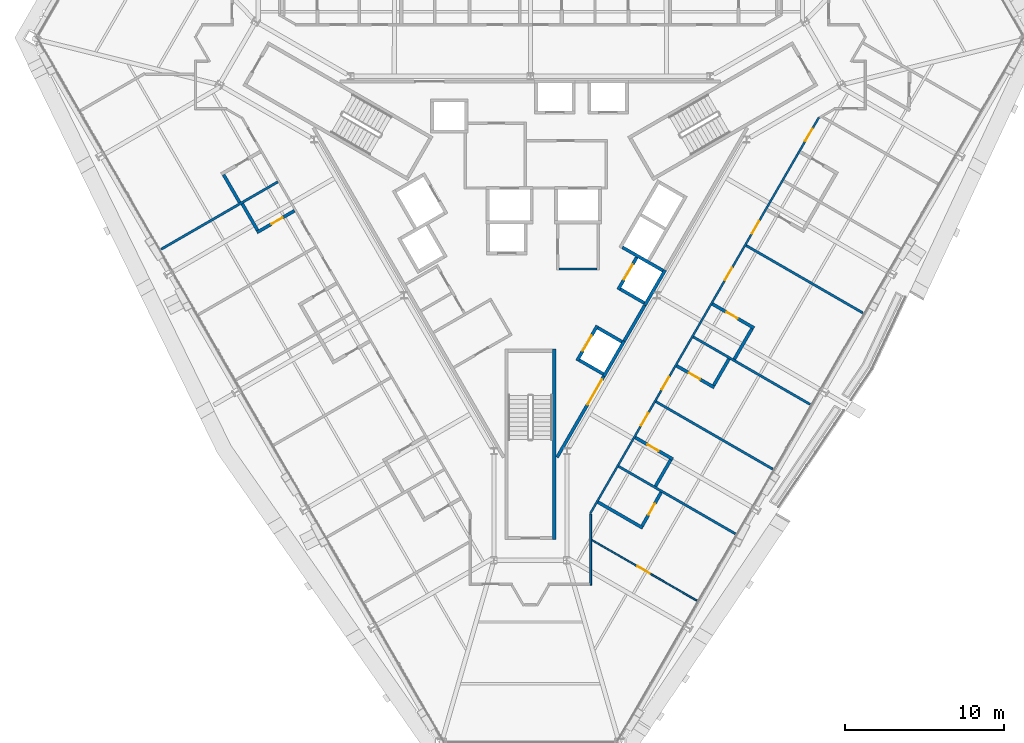
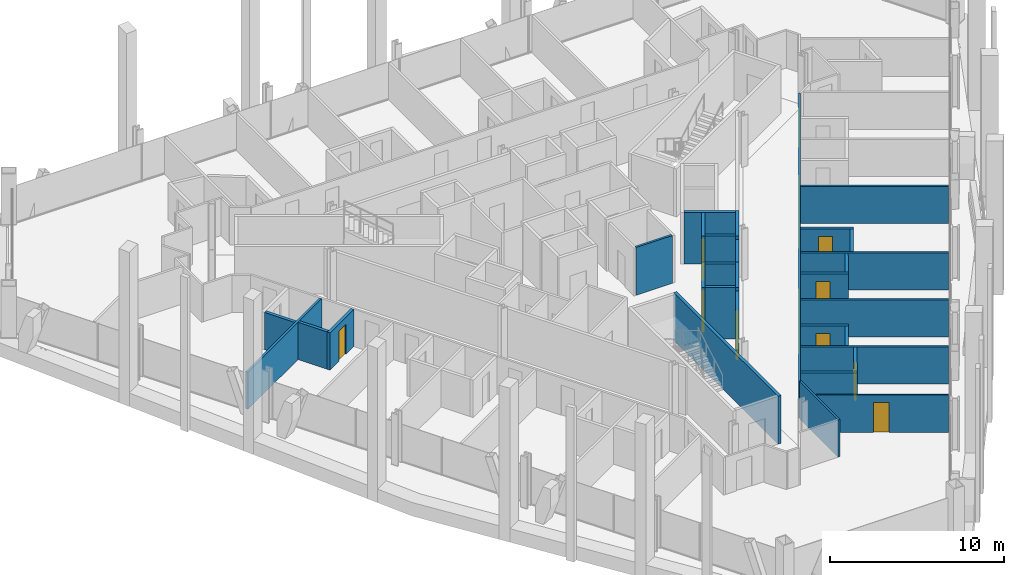
# One storey, part 14 of 21: 31 walls, 14 doors, 14 openings.
"""IFC4 building model written with IfcOpenShell, lengths in metres."""

from ifc_helpers import new_model, si_unit, direction, frame, frame_2d, origin, place, context, subcontext, project, spatial, rectangle, extrude, material, layer, layer_set, type_object, element, fill, save


model = new_model("IFC4")

# Units and contexts
model_context = context("Model", 3, precision=1e-05, world=origin(), true_north=direction((0.0, 1.0)))
body_context = subcontext(model_context, "Body", "Model", "MODEL_VIEW")
ifc_project = project(units=[si_unit("LENGTHUNIT", "METRE"), si_unit("AREAUNIT", "SQUARE_METRE"), si_unit("VOLUMEUNIT", "CUBIC_METRE"), si_unit("PLANEANGLEUNIT", "RADIAN"), si_unit("MASSUNIT", "GRAM", prefix="KILO")], contexts=[model_context])

# Site, building, storey
site_placement = place(None, origin())
site = spatial("IfcSite", under=ifc_project, at=site_placement, CompositionType="ELEMENT")
building_placement = place(site_placement, origin())
building = spatial("IfcBuilding", under=site, at=building_placement, Name="Verrane Prism Tower", CompositionType="ELEMENT")
storey_placement = place(building_placement, frame((0.0, 0.0, 65.60009765625)))
storey = spatial("IfcBuildingStorey", under=building, at=storey_placement, Name="L14", CompositionType="ELEMENT", Elevation=65.60009765625)

# Wall, opening, door
ifc_material_1 = material(Name="Gypsum board partition", Category="other")
ifc_layer_1 = layer(ifc_material_1, 0.199951171875)
ifc_layer_set_1 = layer_set([ifc_layer_1], Name="CW-200 core boundary wall 2 h")
wall_type_1 = type_object("IfcWallType", Name="CW-200 core boundary wall 2 h", PredefinedType="PARTITIONING", material=ifc_layer_set_1)
wall_1_placement = place(storey_placement, frame((1.677490234375, -14.814697265625, 0.0), z_axis=(0.0, 0.0, 1.0), x_axis=(0.49999445743, 0.866028603765, 0.0)))
wall_1 = element("IfcWall", 1, at=wall_1_placement, inside=storey, type_object=wall_type_1, Name="Core boundary wall CW3-003", PredefinedType="PARTITIONING", context=body_context, shape_type="SweptSolid", body=[
    extrude(rectangle(XDim=5.90478515625, YDim=0.199951171875, at=frame_2d((2.952392578125, 0.0))), origin(), (0.0, 0.0, 1.0), 3.349853515625),
])
opening_1_placement = place(wall_1_placement, frame((3.85498046875, 0.0, 0.0)))
opening_1 = element("IfcOpeningElement", 2, at=opening_1_placement, cuts=wall_1, Name="Opening D14517", PredefinedType="OPENING", context=body_context, shape_type="SweptSolid", body=[
    extrude(rectangle(XDim=1.800048828125, YDim=2.10009765625, at=frame_2d((0.89990234375, 1.050048828125))), frame((0.0, 0.10986328125, 0.0), z_axis=(0.0, -1.0, 0.0), x_axis=(1.0, 0.0, 0.0)), (0.0, 0.0, 1.0), 0.219970703125),
])
ifc_material_2 = material(Name="Timber veneered door leaf", Category="wood")
door_type_1 = type_object("IfcDoorType", Name="DR-1800x2100 FD60 double leaf lift lobby", OperationType="NOTDEFINED", PredefinedType="DOOR", material=ifc_material_2)
door_1_placement = place(opening_1_placement, origin())
door_1 = element("IfcDoor", 3, at=door_1_placement, inside=storey, type_object=door_type_1, Name="Lift lobby door D14517", OperationType="DOUBLE_DOOR_SINGLE_SWING", OverallHeight=2.10009765625, OverallWidth=1.800048828125, PredefinedType="DOOR", context=body_context, shape_type="SweptSolid", body=[
    extrude(rectangle(XDim=1.800048828125, YDim=2.10009765625, at=frame_2d((0.89990234375, 1.050048828125))), frame((0.0, 0.02490234375, 0.0), z_axis=(0.0, -1.0, 0.0), x_axis=(1.0, 0.0, 0.0)), (0.0, 0.0, 1.0), 0.050048828125),
])
fill(opening_1, door_1)

# Walls
wall_2_placement = place(storey_placement, frame((5.906005859375, -7.489990234375, 0.0), z_axis=(0.0, 0.0, 1.0), x_axis=(0.500252727967, 0.865879442048, 0.0)))
element("IfcWall", 4, at=wall_2_placement, inside=storey, type_object=wall_type_1, Name="Core boundary wall CW3-005", PredefinedType="PARTITIONING", context=body_context, shape_type="SweptSolid", body=[
    extrude(rectangle(XDim=2.616943359375, YDim=0.199951171875, at=frame_2d((1.30859375, 0.0))), origin(), (0.0, 0.0, 1.0), 3.349853515625),
])
ifc_material_3 = material(Name="Concrete C40/50", Category="concrete")
ifc_layer_2 = layer(ifc_material_3, 0.199951171875)
ifc_layer_set_2 = layer_set([ifc_layer_2], Name="CW-200 stair core wall concrete C40/50 3 h")
wall_type_2 = type_object("IfcWallType", Name="CW-200 stair core wall concrete C40/50 3 h", PredefinedType="PARTITIONING", material=ifc_layer_set_2)
wall_3_placement = place(storey_placement, frame((1.5, -8.0, 0.0), z_axis=(0.0, 0.0, 1.0), x_axis=(0.0, -1.0, 0.0)))
element("IfcWall", 5, at=wall_3_placement, inside=storey, type_object=wall_type_2, Name="Stair 3 enclosure wall", PredefinedType="PARTITIONING", context=body_context, shape_type="SweptSolid", body=[
    extrude(rectangle(XDim=12.0, YDim=0.199951171875, at=frame_2d((6.0, 0.0))), origin(), (0.0, 0.0, 1.0), 3.349853515625),
])
ifc_material_4 = material(Name="Gypsum board shaft wall assembly", Category="other")
ifc_layer_3 = layer(ifc_material_4, 0.199951171875)
ifc_layer_set_3 = layer_set([ifc_layer_3], Name="HW-200 lift shaft wall 2 h")
wall_type_3 = type_object("IfcWallType", Name="HW-200 lift shaft wall 2 h", PredefinedType="PARTITIONING", material=ifc_layer_set_3)
wall_4_placement = place(storey_placement, frame((4.63037109375, -9.69970703125, 0.0), z_axis=(0.0, 0.0, 1.0), x_axis=(0.500062241894, 0.865989465428, 0.0)))
element("IfcWall", 6, at=wall_4_placement, inside=storey, type_object=wall_type_3, Name="Lift shaft wall", PredefinedType="PARTITIONING", context=body_context, shape_type="SweptSolid", body=[
    extrude(rectangle(XDim=2.550048828125, YDim=0.199951171875, at=frame_2d((1.27490234375, 0.0))), origin(), (0.0, 0.0, 1.0), 3.599853515625),
])
wall_5_placement = place(storey_placement, frame((7.215576171875, -5.222412109375, 0.0), z_axis=(0.0, 0.0, 1.0), x_axis=(0.499990435942, 0.866030925526, 0.0)))
element("IfcWall", 7, at=wall_5_placement, inside=storey, type_object=wall_type_3, Name="Lift shaft wall", PredefinedType="PARTITIONING", context=body_context, shape_type="SweptSolid", body=[
    extrude(rectangle(XDim=2.5498046875, YDim=0.199951171875, at=frame_2d((1.27490234375, 0.0))), origin(), (0.0, 0.0, 1.0), 3.599853515625),
])

# Wall, opening, door
wall_6_placement = place(storey_placement, frame((2.941650390625, -8.724853515625, 0.0), z_axis=(0.0, 0.0, 1.0), x_axis=(0.500020783669, 0.866013403995, 0.0)))
wall_6 = element("IfcWall", 8, at=wall_6_placement, inside=storey, type_object=wall_type_3, Name="Lift shaft wall", PredefinedType="PARTITIONING", context=body_context, shape_type="SweptSolid", body=[
    extrude(rectangle(XDim=2.55029296875, YDim=0.199951171875, at=frame_2d((1.275146484375, 0.0))), origin(), (0.0, 0.0, 1.0), 3.599853515625),
])
opening_2_placement = place(wall_6_placement, frame((0.72509765625, 0.0, 0.0)))
opening_2 = element("IfcOpeningElement", 9, at=opening_2_placement, cuts=wall_6, Name="Opening D14506", PredefinedType="OPENING", context=body_context, shape_type="SweptSolid", body=[
    extrude(rectangle(XDim=1.10009765625, YDim=2.10009765625, at=frame_2d((0.550048828125, 1.050048828125))), frame((0.0, 0.10986328125, 0.0), z_axis=(0.0, -1.0, 0.0), x_axis=(1.0, 0.0, 0.0)), (0.0, 0.0, 1.0), 0.219970703125),
])
ifc_material_5 = material(Name="Stainless steel sliding landing door", Category="steel")
door_type_2 = type_object("IfcDoorType", Name="LD-1100x2100 lift landing door FD90 sliding", OperationType="NOTDEFINED", PredefinedType="DOOR", material=ifc_material_5)
door_2_placement = place(opening_2_placement, origin())
door_2 = element("IfcDoor", 10, at=door_2_placement, inside=storey, type_object=door_type_2, Name="Bank A lift 4 landing door", OperationType="SLIDING_TO_RIGHT", OverallHeight=2.10009765625, OverallWidth=1.10009765625, PredefinedType="DOOR", context=body_context, shape_type="SweptSolid", body=[
    extrude(rectangle(XDim=1.10009765625, YDim=2.10009765625, at=frame_2d((0.550048828125, 1.050048828125))), frame((0.0, 0.02490234375, 0.0), z_axis=(0.0, -1.0, 0.0), x_axis=(1.0, 0.0, 0.0)), (0.0, 0.0, 1.0), 0.050048828125),
])
fill(opening_2, door_2)

wall_7_placement = place(storey_placement, frame((5.52685546875, -4.247314453125, 0.0), z_axis=(0.0, 0.0, 1.0), x_axis=(0.499938297808, 0.866061024631, 0.0)))
wall_7 = element("IfcWall", 11, at=wall_7_placement, inside=storey, type_object=wall_type_3, Name="Lift shaft wall", PredefinedType="PARTITIONING", context=body_context, shape_type="SweptSolid", body=[
    extrude(rectangle(XDim=2.349853515625, YDim=0.199951171875, at=frame_2d((1.1748046875, 0.0))), origin(), (0.0, 0.0, 1.0), 3.599853515625),
])
opening_3_placement = place(wall_7_placement, frame((0.72509765625, 0.0, 0.0)))
opening_3 = element("IfcOpeningElement", 12, at=opening_3_placement, cuts=wall_7, Name="Opening D14507", PredefinedType="OPENING", context=body_context, shape_type="SweptSolid", body=[
    extrude(rectangle(XDim=1.10009765625, YDim=2.10009765625, at=frame_2d((0.550048828125, 1.050048828125))), frame((0.0, 0.10986328125, 0.0), z_axis=(0.0, -1.0, 0.0), x_axis=(1.0, 0.0, 0.0)), (0.0, 0.0, 1.0), 0.219970703125),
])
door_3_placement = place(opening_3_placement, origin())
door_3 = element("IfcDoor", 13, at=door_3_placement, inside=storey, type_object=door_type_2, Name="Bank A lift 5 landing door", OperationType="SLIDING_TO_LEFT", OverallHeight=2.10009765625, OverallWidth=1.10009765625, PredefinedType="DOOR", context=body_context, shape_type="SweptSolid", body=[
    extrude(rectangle(XDim=1.10009765625, YDim=2.10009765625, at=frame_2d((0.550048828125, 1.050048828125))), frame((0.0, 0.02490234375, 0.0), z_axis=(0.0, -1.0, 0.0), x_axis=(1.0, 0.0, 0.0)), (0.0, 0.0, 1.0), 0.050048828125),
])
fill(opening_3, door_3)

# Walls
wall_8_placement = place(storey_placement, frame((8.35400390625, -3.050537109375, 0.0), z_axis=(0.0, 0.0, 1.0), x_axis=(-0.866060182126, 0.499939757307, 0.0)))
element("IfcWall", 14, at=wall_8_placement, inside=storey, type_object=wall_type_3, Name="Lift shaft wall", PredefinedType="PARTITIONING", context=body_context, shape_type="SweptSolid", body=[
    extrude(rectangle(XDim=2.949951171875, YDim=0.199951171875, at=frame_2d((1.47509765625, 0.0))), origin(), (0.0, 0.0, 1.0), 3.599853515625),
])
wall_9_placement = place(storey_placement, frame((7.178955078125, -5.085693359375, 0.0), z_axis=(0.0, 0.0, 1.0), x_axis=(-0.866036909293, 0.499980071345, 0.0)))
element("IfcWall", 15, at=wall_9_placement, inside=storey, type_object=wall_type_3, Name="Lift shaft wall", PredefinedType="PARTITIONING", context=body_context, shape_type="SweptSolid", body=[
    extrude(rectangle(XDim=1.75, YDim=0.199951171875, at=frame_2d((0.875, 0.0))), origin(), (0.0, 0.0, 1.0), 3.599853515625),
])
wall_10_placement = place(storey_placement, frame((5.768798828125, -7.528076171875, 0.0), z_axis=(0.0, 0.0, 1.0), x_axis=(-0.866002029911, 0.500040482552, 0.0)))
element("IfcWall", 16, at=wall_10_placement, inside=storey, type_object=wall_type_3, Name="Lift shaft wall", PredefinedType="PARTITIONING", context=body_context, shape_type="SweptSolid", body=[
    extrude(rectangle(XDim=1.749755859375, YDim=0.199951171875, at=frame_2d((0.875, 0.0))), origin(), (0.0, 0.0, 1.0), 3.599853515625),
])
wall_11_placement = place(storey_placement, frame((4.593994140625, -9.563232421875, 0.0), z_axis=(0.0, 0.0, 1.0), x_axis=(-0.866036909293, 0.499980071345, 0.0)))
element("IfcWall", 17, at=wall_11_placement, inside=storey, type_object=wall_type_3, Name="Lift shaft wall", PredefinedType="PARTITIONING", context=body_context, shape_type="SweptSolid", body=[
    extrude(rectangle(XDim=1.75, YDim=0.199951171875, at=frame_2d((0.875, 0.0))), origin(), (0.0, 0.0, 1.0), 3.599853515625),
])

# Wall, opening, door
ifc_material_6 = material(Name="Gypsum board partition", Category="other")
ifc_layer_4 = layer(ifc_material_6, 0.10009765625)
ifc_layer_set_4 = layer_set([ifc_layer_4], Name="PW-100 room partition")
wall_type_4 = type_object("IfcWallType", Name="PW-100 room partition", PredefinedType="PARTITIONING", material=ifc_layer_set_4)
wall_12_placement = place(storey_placement, frame((3.884521484375, -20.027587890625, 0.0), z_axis=(0.0, 0.0, 1.0), x_axis=(0.866080975745, -0.499903734186, 0.0)))
wall_12 = element("IfcWall", 18, at=wall_12_placement, inside=storey, type_object=wall_type_4, Name="Room partition 055", PredefinedType="PARTITIONING", context=body_context, shape_type="SweptSolid", body=[
    extrude(rectangle(XDim=7.61669921875, YDim=0.10009765625, at=frame_2d((3.808349609375, 0.0))), origin(), (0.0, 0.0, 1.0), 2.61279296875),
])
opening_4_placement = place(wall_12_placement, frame((3.299072265625, 0.0, 0.0)))
opening_4 = element("IfcOpeningElement", 19, at=opening_4_placement, cuts=wall_12, Name="Opening D14002", PredefinedType="OPENING", context=body_context, shape_type="SweptSolid", body=[
    extrude(rectangle(XDim=0.89990234375, YDim=2.10009765625, at=frame_2d((0.449951171875, 1.050048828125))), frame((0.0, 0.06005859375, 0.0), z_axis=(0.0, -1.0, 0.0), x_axis=(1.0, 0.0, 0.0)), (0.0, 0.0, 1.0), 0.1201171875),
])
ifc_material_7 = material(Name="Timber veneered door leaf", Category="wood")
door_type_3 = type_object("IfcDoorType", Name="DR-900x2100 single leaf inner", OperationType="NOTDEFINED", PredefinedType="DOOR", material=ifc_material_7)
door_4_placement = place(opening_4_placement, origin())
door_4 = element("IfcDoor", 20, at=door_4_placement, inside=storey, type_object=door_type_3, Name="Suite Living Room door", OperationType="SINGLE_SWING_RIGHT", OverallHeight=2.10009765625, OverallWidth=0.89990234375, PredefinedType="DOOR", context=body_context, shape_type="SweptSolid", body=[
    extrude(rectangle(XDim=0.89990234375, YDim=2.10009765625, at=frame_2d((0.449951171875, 1.050048828125))), frame((0.0, 0.02490234375, 0.0), z_axis=(0.0, -1.0, 0.0), x_axis=(1.0, 0.0, 0.0)), (0.0, 0.0, 1.0), 0.050048828125),
])
fill(opening_4, door_4)

# Wall
ifc_material_8 = material(Name="Gypsum board partition", Category="other")
ifc_layer_5 = layer(ifc_material_8, 0.125)
ifc_layer_set_5 = layer_set([ifc_layer_5], Name="PW-125 corridor wall 1 h")
wall_type_5 = type_object("IfcWallType", Name="PW-125 corridor wall 1 h", PredefinedType="PARTITIONING", material=ifc_layer_set_5)
wall_13_placement = place(storey_placement, frame((3.797119140625, -22.859619140625, 0.0), z_axis=(0.0, 0.0, 1.0), x_axis=(0.0, 1.0, 0.0)))
element("IfcWall", 21, at=wall_13_placement, inside=storey, type_object=wall_type_5, Name="Corridor wall 054", PredefinedType="PARTITIONING", context=body_context, shape_type="SweptSolid", body=[
    extrude(rectangle(XDim=4.470703125, YDim=0.125, at=frame_2d((2.2353515625, 0.0))), origin(), (0.0, 0.0, 1.0), 2.61279296875),
])

# Wall, openings, doors
wall_14_placement = place(storey_placement, frame((18.17919921875, 6.606201171875, 0.0), z_axis=(0.0, 0.0, 1.0), x_axis=(-0.500003973642, -0.866023109589, 0.0)))
wall_14 = element("IfcWall", 22, at=wall_14_placement, inside=storey, type_object=wall_type_5, Name="Corridor wall 056", PredefinedType="PARTITIONING", context=body_context, shape_type="SweptSolid", body=[
    extrude(rectangle(XDim=28.826416015625, YDim=0.125, at=frame_2d((14.4130859375, 0.0))), origin(), (0.0, 0.0, 1.0), 2.61279296875),
])
opening_5_placement = place(wall_14_placement, frame((21.5009765625, 0.0, 0.0)))
opening_5 = element("IfcOpeningElement", 23, at=opening_5_placement, cuts=wall_14, Name="Opening D14004", PredefinedType="OPENING", context=body_context, shape_type="SweptSolid", body=[
    extrude(rectangle(XDim=0.89990234375, YDim=2.10009765625, at=frame_2d((0.449951171875, 1.050048828125))), frame((0.0, 0.072509765625, 0.0), z_axis=(0.0, -1.0, 0.0), x_axis=(1.0, 0.0, 0.0)), (0.0, 0.0, 1.0), 0.14501953125),
])
opening_6_placement = place(wall_14_placement, frame((18.89404296875, 0.0, 0.0)))
opening_6 = element("IfcOpeningElement", 24, at=opening_6_placement, cuts=wall_14, Name="Opening D14006", PredefinedType="OPENING", context=body_context, shape_type="SweptSolid", body=[
    extrude(rectangle(XDim=0.89990234375, YDim=2.10009765625, at=frame_2d((0.449951171875, 1.050048828125))), frame((0.0, 0.072509765625, 0.0), z_axis=(0.0, -1.0, 0.0), x_axis=(1.0, 0.0, 0.0)), (0.0, 0.0, 1.0), 0.14501953125),
])
opening_7_placement = place(wall_14_placement, frame((10.93701171875, 0.0, 0.0)))
opening_7 = element("IfcOpeningElement", 25, at=opening_7_placement, cuts=wall_14, Name="Opening D14008", PredefinedType="OPENING", context=body_context, shape_type="SweptSolid", body=[
    extrude(rectangle(XDim=0.89990234375, YDim=2.10009765625, at=frame_2d((0.449951171875, 1.050048828125))), frame((0.0, 0.072509765625, 0.0), z_axis=(0.0, -1.0, 0.0), x_axis=(1.0, 0.0, 0.0)), (0.0, 0.0, 1.0), 0.14501953125),
])
opening_8_placement = place(wall_14_placement, frame((7.534912109375, 0.0, 0.0)))
opening_8 = element("IfcOpeningElement", 26, at=opening_8_placement, cuts=wall_14, Name="Opening D14010", PredefinedType="OPENING", context=body_context, shape_type="SweptSolid", body=[
    extrude(rectangle(XDim=0.89990234375, YDim=2.10009765625, at=frame_2d((0.449951171875, 1.050048828125))), frame((0.0, 0.072509765625, 0.0), z_axis=(0.0, -1.0, 0.0), x_axis=(1.0, 0.0, 0.0)), (0.0, 0.0, 1.0), 0.14501953125),
])
opening_9_placement = place(wall_14_placement, frame((0.826904296875, 0.0, 0.0)))
opening_9 = element("IfcOpeningElement", 27, at=opening_9_placement, cuts=wall_14, Name="Opening D14012", PredefinedType="OPENING", context=body_context, shape_type="SweptSolid", body=[
    extrude(rectangle(XDim=0.89990234375, YDim=2.10009765625, at=frame_2d((0.449951171875, 1.050048828125))), frame((0.0, 0.072509765625, 0.0), z_axis=(0.0, -1.0, 0.0), x_axis=(1.0, 0.0, 0.0)), (0.0, 0.0, 1.0), 0.14501953125),
])
ifc_material_9 = material(Name="Timber veneered door leaf", Category="wood")
door_type_4 = type_object("IfcDoorType", Name="DR-900x2100 FD20 single leaf unit", OperationType="NOTDEFINED", PredefinedType="DOOR", material=ifc_material_9)
door_5_placement = place(opening_5_placement, origin())
door_5 = element("IfcDoor", 28, at=door_5_placement, inside=storey, type_object=door_type_4, Name="Guest Room door", OperationType="SINGLE_SWING_LEFT", OverallHeight=2.10009765625, OverallWidth=0.89990234375, PredefinedType="DOOR", context=body_context, shape_type="SweptSolid", body=[
    extrude(rectangle(XDim=0.89990234375, YDim=2.10009765625, at=frame_2d((0.449951171875, 1.050048828125))), frame((0.0, 0.02490234375, 0.0), z_axis=(0.0, -1.0, 0.0), x_axis=(1.0, 0.0, 0.0)), (0.0, 0.0, 1.0), 0.050048828125),
])
fill(opening_5, door_5)
door_6_placement = place(opening_6_placement, origin())
door_6 = element("IfcDoor", 29, at=door_6_placement, inside=storey, type_object=door_type_4, Name="Guest Room door", OperationType="SINGLE_SWING_LEFT", OverallHeight=2.10009765625, OverallWidth=0.89990234375, PredefinedType="DOOR", context=body_context, shape_type="SweptSolid", body=[
    extrude(rectangle(XDim=0.89990234375, YDim=2.10009765625, at=frame_2d((0.449951171875, 1.050048828125))), frame((0.0, 0.02490234375, 0.0), z_axis=(0.0, -1.0, 0.0), x_axis=(1.0, 0.0, 0.0)), (0.0, 0.0, 1.0), 0.050048828125),
])
fill(opening_6, door_6)
door_7_placement = place(opening_7_placement, origin())
door_7 = element("IfcDoor", 30, at=door_7_placement, inside=storey, type_object=door_type_4, Name="Junior Suite door", OperationType="SINGLE_SWING_LEFT", OverallHeight=2.10009765625, OverallWidth=0.89990234375, PredefinedType="DOOR", context=body_context, shape_type="SweptSolid", body=[
    extrude(rectangle(XDim=0.89990234375, YDim=2.10009765625, at=frame_2d((0.449951171875, 1.050048828125))), frame((0.0, 0.02490234375, 0.0), z_axis=(0.0, -1.0, 0.0), x_axis=(1.0, 0.0, 0.0)), (0.0, 0.0, 1.0), 0.050048828125),
])
fill(opening_7, door_7)
door_8_placement = place(opening_8_placement, origin())
door_8 = element("IfcDoor", 31, at=door_8_placement, inside=storey, type_object=door_type_4, Name="Guest Room door", OperationType="SINGLE_SWING_LEFT", OverallHeight=2.10009765625, OverallWidth=0.89990234375, PredefinedType="DOOR", context=body_context, shape_type="SweptSolid", body=[
    extrude(rectangle(XDim=0.89990234375, YDim=2.10009765625, at=frame_2d((0.449951171875, 1.050048828125))), frame((0.0, 0.02490234375, 0.0), z_axis=(0.0, -1.0, 0.0), x_axis=(1.0, 0.0, 0.0)), (0.0, 0.0, 1.0), 0.050048828125),
])
fill(opening_8, door_8)
door_9_placement = place(opening_9_placement, origin())
door_9 = element("IfcDoor", 32, at=door_9_placement, inside=storey, type_object=door_type_4, Name="Guest Room door", OperationType="SINGLE_SWING_LEFT", OverallHeight=2.10009765625, OverallWidth=0.89990234375, PredefinedType="DOOR", context=body_context, shape_type="SweptSolid", body=[
    extrude(rectangle(XDim=0.89990234375, YDim=2.10009765625, at=frame_2d((0.449951171875, 1.050048828125))), frame((0.0, 0.02490234375, 0.0), z_axis=(0.0, -1.0, 0.0), x_axis=(1.0, 0.0, 0.0)), (0.0, 0.0, 1.0), 0.050048828125),
])
fill(opening_9, door_9)

# Walls
ifc_material_10 = material(Name="Gypsum board partition", Category="other")
ifc_layer_6 = layer(ifc_material_10, 0.14990234375)
ifc_layer_set_6 = layer_set([ifc_layer_6], Name="PW-150 demising wall 1 h")
wall_type_6 = type_object("IfcWallType", Name="PW-150 demising wall 1 h", PredefinedType="PARTITIONING", material=ifc_layer_set_6)
wall_15_placement = place(storey_placement, frame((-23.26025390625, -1.701171875, 0.0), z_axis=(0.0, 0.0, 1.0), x_axis=(0.866027021296, 0.499997198377, 0.0)))
element("IfcWall", 33, at=wall_15_placement, inside=storey, type_object=wall_type_6, Name="Demising wall 003", PredefinedType="PARTITIONING", context=body_context, shape_type="SweptSolid", body=[
    extrude(rectangle(XDim=8.48681640625, YDim=0.14990234375, at=frame_2d((4.243408203125, 0.0))), origin(), (0.0, 0.0, 1.0), 2.61279296875),
])
wall_16_placement = place(storey_placement, frame((5.55810546875, -15.38037109375, 0.0), z_axis=(0.0, 0.0, 1.0), x_axis=(0.866022790583, -0.50000452617, 0.0)))
element("IfcWall", 34, at=wall_16_placement, inside=storey, type_object=wall_type_6, Name="Demising wall 060", PredefinedType="PARTITIONING", context=body_context, shape_type="SweptSolid", body=[
    extrude(rectangle(XDim=8.4912109375, YDim=0.14990234375, at=frame_2d((4.24560546875, 0.0))), origin(), (0.0, 0.0, 1.0), 2.61279296875),
])
for number, where, z_axis, x_axis, name in (
    (35, (7.9111328125, -11.30322265625, 0.0), (0.0, 0.0, 1.0), (0.866012267213, -0.500022752519, 0.0), "Demising wall 065"),
    (36, (10.26513671875, -7.226318359375, 0.0), (0.0, 0.0, 1.0), (0.866024716685, -0.500001190089, 0.0), "Demising wall 068"),
):
    element("IfcWall", number, at=place(storey_placement, frame(where, z_axis=z_axis, x_axis=x_axis)), inside=storey, type_object=wall_type_6, Name=name, PredefinedType="PARTITIONING", context=body_context, shape_type="SweptSolid", body=[
        extrude(rectangle(XDim=8.49169921875, YDim=0.14990234375, at=frame_2d((4.245849609375, 0.0))), origin(), (0.0, 0.0, 1.0), 2.61279296875),
    ])
wall_17_placement = place(storey_placement, frame((13.591064453125, -1.46630859375, 0.0), z_axis=(0.0, 0.0, 1.0), x_axis=(0.866022790583, -0.50000452617, 0.0)))
element("IfcWall", 37, at=wall_17_placement, inside=storey, type_object=wall_type_6, Name="Demising wall 074", PredefinedType="PARTITIONING", context=body_context, shape_type="SweptSolid", body=[
    extrude(rectangle(XDim=8.4912109375, YDim=0.14990234375, at=frame_2d((4.24560546875, 0.0))), origin(), (0.0, 0.0, 1.0), 2.61279296875),
])
ifc_material_11 = material(Name="Gypsum board partition", Category="other")
ifc_layer_7 = layer(ifc_material_11, 0.199951171875)
ifc_layer_set_7 = layer_set([ifc_layer_7], Name="PW-200 plumbing wall")
wall_type_7 = type_object("IfcWallType", Name="PW-200 plumbing wall", PredefinedType="PARTITIONING", material=ifc_layer_set_7)
wall_18_placement = place(storey_placement, frame((-19.326904296875, 2.994384765625, 0.0), z_axis=(0.0, 0.0, 1.0), x_axis=(0.500042536776, -0.866000843773, 0.0)))
element("IfcWall", 38, at=wall_18_placement, inside=storey, type_object=wall_type_7, Name="Plumbing wall 011", PredefinedType="PARTITIONING", context=body_context, shape_type="SweptSolid", body=[
    extrude(rectangle(XDim=2.024658203125, YDim=0.199951171875, at=frame_2d((1.01220703125, 0.0))), origin(), (0.0, 0.0, 1.0), 2.61279296875),
])
wall_19_placement = place(storey_placement, frame((-18.152587890625, 1.1611328125, 0.0), z_axis=(0.0, 0.0, 1.0), x_axis=(0.499971247393, -0.866042003473, 0.0)))
element("IfcWall", 39, at=wall_19_placement, inside=storey, type_object=wall_type_7, Name="Plumbing wall 017", PredefinedType="PARTITIONING", context=body_context, shape_type="SweptSolid", body=[
    extrude(rectangle(XDim=1.92529296875, YDim=0.199951171875, at=frame_2d((0.962646484375, 0.0))), origin(), (0.0, 0.0, 1.0), 2.61279296875),
])

# Wall, opening, door
wall_20_placement = place(storey_placement, frame((-17.2265625, -0.64306640625, 0.0), z_axis=(0.0, 0.0, 1.0), x_axis=(0.866012976267, 0.500021524473, 0.0)))
wall_20 = element("IfcWall", 40, at=wall_20_placement, inside=storey, type_object=wall_type_7, Name="Plumbing wall 021", PredefinedType="PARTITIONING", context=body_context, shape_type="SweptSolid", body=[
    extrude(rectangle(XDim=2.732421875, YDim=0.199951171875, at=frame_2d((1.3662109375, 0.0))), origin(), (0.0, 0.0, 1.0), 2.61279296875),
])
opening_10_placement = place(wall_20_placement, frame((1.050048828125, 0.0, 0.0)))
opening_10 = element("IfcOpeningElement", 41, at=opening_10_placement, cuts=wall_20, Name="Opening D14035", PredefinedType="OPENING", context=body_context, shape_type="SweptSolid", body=[
    extrude(rectangle(XDim=0.800048828125, YDim=2.10009765625, at=frame_2d((0.39990234375, 1.050048828125))), frame((0.0, 0.10986328125, 0.0), z_axis=(0.0, -1.0, 0.0), x_axis=(1.0, 0.0, 0.0)), (0.0, 0.0, 1.0), 0.219970703125),
])
ifc_material_12 = material(Name="Timber veneered door leaf", Category="wood")
door_type_5 = type_object("IfcDoorType", Name="DR-800x2100 single leaf bath", OperationType="NOTDEFINED", PredefinedType="DOOR", material=ifc_material_12)
door_10_placement = place(opening_10_placement, origin())
door_10 = element("IfcDoor", 42, at=door_10_placement, inside=storey, type_object=door_type_5, Name="En-Suite door", OperationType="SINGLE_SWING_LEFT", OverallHeight=2.10009765625, OverallWidth=0.800048828125, PredefinedType="DOOR", context=body_context, shape_type="SweptSolid", body=[
    extrude(rectangle(XDim=0.800048828125, YDim=2.10009765625, at=frame_2d((0.39990234375, 1.050048828125))), frame((0.0, 0.02490234375, 0.0), z_axis=(0.0, -1.0, 0.0), x_axis=(1.0, 0.0, 0.0)), (0.0, 0.0, 1.0), 0.050048828125),
])
fill(opening_10, door_10)

# Wall
wall_21_placement = place(storey_placement, frame((4.258056640625, -17.63134765625, 0.0), z_axis=(0.0, 0.0, 1.0), x_axis=(0.865982457891, -0.500074377092, 0.0)))
element("IfcWall", 43, at=wall_21_placement, inside=storey, type_object=wall_type_7, Name="Plumbing wall 059", PredefinedType="PARTITIONING", context=body_context, shape_type="SweptSolid", body=[
    extrude(rectangle(XDim=3.2626953125, YDim=0.199951171875, at=frame_2d((1.63134765625, 0.0))), origin(), (0.0, 0.0, 1.0), 2.61279296875),
])

# Wall, opening, door
wall_22_placement = place(storey_placement, frame((8.978515625, -14.929931640625, 0.0), z_axis=(0.0, 0.0, 1.0), x_axis=(-0.866005850709, 0.50003386539, 0.0)))
wall_22 = element("IfcWall", 44, at=wall_22_placement, inside=storey, type_object=wall_type_7, Name="Plumbing wall 062", PredefinedType="PARTITIONING", context=body_context, shape_type="SweptSolid", body=[
    extrude(rectangle(XDim=2.737060546875, YDim=0.199951171875, at=frame_2d((1.36865234375, 0.0))), origin(), (0.0, 0.0, 1.0), 2.61279296875),
])
opening_11_placement = place(wall_22_placement, frame((1.0498046875, 0.0, 0.0)))
opening_11 = element("IfcOpeningElement", 45, at=opening_11_placement, cuts=wall_22, Name="Opening D14005", PredefinedType="OPENING", context=body_context, shape_type="SweptSolid", body=[
    extrude(rectangle(XDim=0.800048828125, YDim=2.10009765625, at=frame_2d((0.39990234375, 1.050048828125))), frame((0.0, 0.10986328125, 0.0), z_axis=(0.0, -1.0, 0.0), x_axis=(1.0, 0.0, 0.0)), (0.0, 0.0, 1.0), 0.219970703125),
])
door_11_placement = place(opening_11_placement, origin())
door_11 = element("IfcDoor", 46, at=door_11_placement, inside=storey, type_object=door_type_5, Name="En-Suite door", OperationType="SINGLE_SWING_RIGHT", OverallHeight=2.10009765625, OverallWidth=0.800048828125, PredefinedType="DOOR", context=body_context, shape_type="SweptSolid", body=[
    extrude(rectangle(XDim=0.800048828125, YDim=2.10009765625, at=frame_2d((0.39990234375, 1.050048828125))), frame((0.0, 0.02490234375, 0.0), z_axis=(0.0, -1.0, 0.0), x_axis=(1.0, 0.0, 0.0)), (0.0, 0.0, 1.0), 0.050048828125),
])
fill(opening_11, door_11)

wall_23_placement = place(storey_placement, frame((7.048583984375, -19.12158203125, 0.0), z_axis=(0.0, 0.0, 1.0), x_axis=(0.491544985814, 0.870852184312, 0.0)))
wall_23 = element("IfcWall", 47, at=wall_23_placement, inside=storey, type_object=wall_type_7, Name="Plumbing wall 063", PredefinedType="PARTITIONING", context=body_context, shape_type="SweptSolid", body=[
    extrude(rectangle(XDim=2.4189453125, YDim=0.199951171875, at=frame_2d((1.20947265625, 0.0))), origin(), (0.0, 0.0, 1.0), 2.61279296875),
])
opening_12_placement = place(wall_23_placement, frame((0.794921875, 0.0, 0.0)))
opening_12 = element("IfcOpeningElement", 48, at=opening_12_placement, cuts=wall_23, Name="Opening D14003", PredefinedType="OPENING", context=body_context, shape_type="SweptSolid", body=[
    extrude(rectangle(XDim=0.800048828125, YDim=2.10009765625, at=frame_2d((0.39990234375, 1.050048828125))), frame((0.0, 0.10986328125, 0.0), z_axis=(0.0, -1.0, 0.0), x_axis=(1.0, 0.0, 0.0)), (0.0, 0.0, 1.0), 0.219970703125),
])
door_12_placement = place(opening_12_placement, origin())
door_12 = element("IfcDoor", 49, at=door_12_placement, inside=storey, type_object=door_type_5, Name="En-Suite door", OperationType="SINGLE_SWING_LEFT", OverallHeight=2.10009765625, OverallWidth=0.800048828125, PredefinedType="DOOR", context=body_context, shape_type="SweptSolid", body=[
    extrude(rectangle(XDim=0.800048828125, YDim=2.10009765625, at=frame_2d((0.39990234375, 1.050048828125))), frame((0.0, 0.02490234375, 0.0), z_axis=(0.0, -1.0, 0.0), x_axis=(1.0, 0.0, 0.0)), (0.0, 0.0, 1.0), 0.050048828125),
])
fill(opening_12, door_12)

# Wall
wall_24_placement = place(storey_placement, frame((7.882080078125, -16.629638671875, 0.0), z_axis=(0.0, 0.0, 1.0), x_axis=(0.499913221443, 0.866075499611, 0.0)))
element("IfcWall", 50, at=wall_24_placement, inside=storey, type_object=wall_type_7, Name="Plumbing wall 064", PredefinedType="PARTITIONING", context=body_context, shape_type="SweptSolid", body=[
    extrude(rectangle(XDim=1.920166015625, YDim=0.199951171875, at=frame_2d((0.9599609375, 0.0))), origin(), (0.0, 0.0, 1.0), 2.61279296875),
])

# Wall, opening, door
wall_25_placement = place(storey_placement, frame((9.215087890625, -9.045166015625, 0.0), z_axis=(0.0, 0.0, 1.0), x_axis=(0.865989529477, -0.500062130976, 0.0)))
wall_25 = element("IfcWall", 51, at=wall_25_placement, inside=storey, type_object=wall_type_7, Name="Plumbing wall 067", PredefinedType="PARTITIONING", context=body_context, shape_type="SweptSolid", body=[
    extrude(rectangle(XDim=2.737548828125, YDim=0.199951171875, at=frame_2d((1.36865234375, 0.0))), origin(), (0.0, 0.0, 1.0), 2.61279296875),
])
opening_13_placement = place(wall_25_placement, frame((0.887451171875, 0.0, 0.0)))
opening_13 = element("IfcOpeningElement", 52, at=opening_13_placement, cuts=wall_25, Name="Opening D14007", PredefinedType="OPENING", context=body_context, shape_type="SweptSolid", body=[
    extrude(rectangle(XDim=0.800048828125, YDim=2.10009765625, at=frame_2d((0.39990234375, 1.050048828125))), frame((0.0, 0.10986328125, 0.0), z_axis=(0.0, -1.0, 0.0), x_axis=(1.0, 0.0, 0.0)), (0.0, 0.0, 1.0), 0.219970703125),
])
door_13_placement = place(opening_13_placement, origin())
door_13 = element("IfcDoor", 53, at=door_13_placement, inside=storey, type_object=door_type_5, Name="En-Suite door", OperationType="SINGLE_SWING_LEFT", OverallHeight=2.10009765625, OverallWidth=0.800048828125, PredefinedType="DOOR", context=body_context, shape_type="SweptSolid", body=[
    extrude(rectangle(XDim=0.800048828125, YDim=2.10009765625, at=frame_2d((0.39990234375, 1.050048828125))), frame((0.0, 0.02490234375, 0.0), z_axis=(0.0, -1.0, 0.0), x_axis=(1.0, 0.0, 0.0)), (0.0, 0.0, 1.0), 0.050048828125),
])
fill(opening_13, door_13)

wall_26_placement = place(storey_placement, frame((14.095703125, -6.6669921875, 0.0), z_axis=(0.0, 0.0, 1.0), x_axis=(-0.866023634079, 0.500003065207, 0.0)))
wall_26 = element("IfcWall", 54, at=wall_26_placement, inside=storey, type_object=wall_type_7, Name="Plumbing wall 069", PredefinedType="PARTITIONING", context=body_context, shape_type="SweptSolid", body=[
    extrude(rectangle(XDim=3.03759765625, YDim=0.199951171875, at=frame_2d((1.518798828125, 0.0))), origin(), (0.0, 0.0, 1.0), 2.61279296875),
])
opening_14_placement = place(wall_26_placement, frame((1.199951171875, 0.0, 0.0)))
opening_14 = element("IfcOpeningElement", 55, at=opening_14_placement, cuts=wall_26, Name="Opening D14009", PredefinedType="OPENING", context=body_context, shape_type="SweptSolid", body=[
    extrude(rectangle(XDim=0.800048828125, YDim=2.10009765625, at=frame_2d((0.39990234375, 1.050048828125))), frame((0.0, 0.10986328125, 0.0), z_axis=(0.0, -1.0, 0.0), x_axis=(1.0, 0.0, 0.0)), (0.0, 0.0, 1.0), 0.219970703125),
])
door_14_placement = place(opening_14_placement, origin())
door_14 = element("IfcDoor", 56, at=door_14_placement, inside=storey, type_object=door_type_5, Name="En-Suite door", OperationType="SINGLE_SWING_RIGHT", OverallHeight=2.10009765625, OverallWidth=0.800048828125, PredefinedType="DOOR", context=body_context, shape_type="SweptSolid", body=[
    extrude(rectangle(XDim=0.800048828125, YDim=2.10009765625, at=frame_2d((0.39990234375, 1.050048828125))), frame((0.0, 0.02490234375, 0.0), z_axis=(0.0, -1.0, 0.0), x_axis=(1.0, 0.0, 0.0)), (0.0, 0.0, 1.0), 0.050048828125),
])
fill(opening_14, door_14)

# Walls
wall_27_placement = place(storey_placement, frame((11.549072265625, -10.27734375, 0.0), z_axis=(0.0, 0.0, 1.0), x_axis=(0.499876134923, 0.86609690551, 0.0)))
element("IfcWall", 57, at=wall_27_placement, inside=storey, type_object=wall_type_7, Name="Plumbing wall 070", PredefinedType="PARTITIONING", context=body_context, shape_type="SweptSolid", body=[
    extrude(rectangle(XDim=1.92529296875, YDim=0.199951171875, at=frame_2d((0.962646484375, 0.0))), origin(), (0.0, 0.0, 1.0), 2.61279296875),
])
wall_28_placement = place(storey_placement, frame((12.846435546875, -8.630126953125, 0.0), z_axis=(0.0, 0.0, 1.0), x_axis=(0.500092923031, 0.865971748, 0.0)))
element("IfcWall", 58, at=wall_28_placement, inside=storey, type_object=wall_type_7, Name="Plumbing wall 071", PredefinedType="PARTITIONING", context=body_context, shape_type="SweptSolid", body=[
    extrude(rectangle(XDim=2.224609375, YDim=0.199951171875, at=frame_2d((1.1123046875, 0.0))), origin(), (0.0, 0.0, 1.0), 2.61279296875),
])
ifc_material_13 = material(Name="Gypsum board partition", Category="other")
ifc_layer_8 = layer(ifc_material_13, 0.14990234375)
ifc_layer_set_8 = layer_set([ifc_layer_8], Name="RS-150 riser enclosure wall 1 h")
wall_type_8 = type_object("IfcWallType", Name="RS-150 riser enclosure wall 1 h", PredefinedType="PARTITIONING", material=ifc_layer_set_8)
wall_29_placement = place(storey_placement, frame((1.800048828125, -2.949951171875, 0.0), z_axis=(0.0, 0.0, 1.0), x_axis=(1.0, 0.0, 0.0)))
element("IfcWall", 59, at=wall_29_placement, inside=storey, type_object=wall_type_8, Name="Riser wall RS3-008", PredefinedType="PARTITIONING", context=body_context, shape_type="SweptSolid", body=[
    extrude(rectangle(XDim=2.39990234375, YDim=0.14990234375, at=frame_2d((1.199951171875, 0.0))), origin(), (0.0, 0.0, 1.0), 3.349853515625),
])

save(model, "model.ifc")
